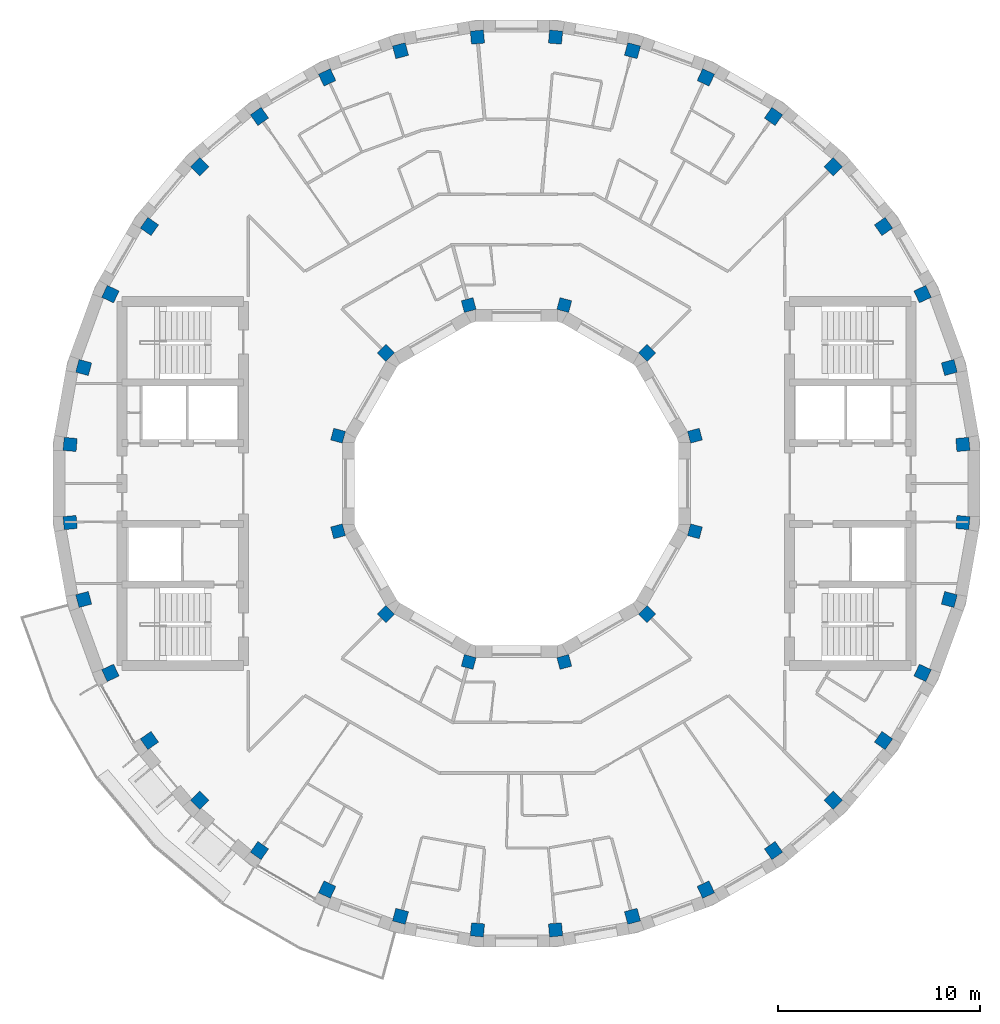
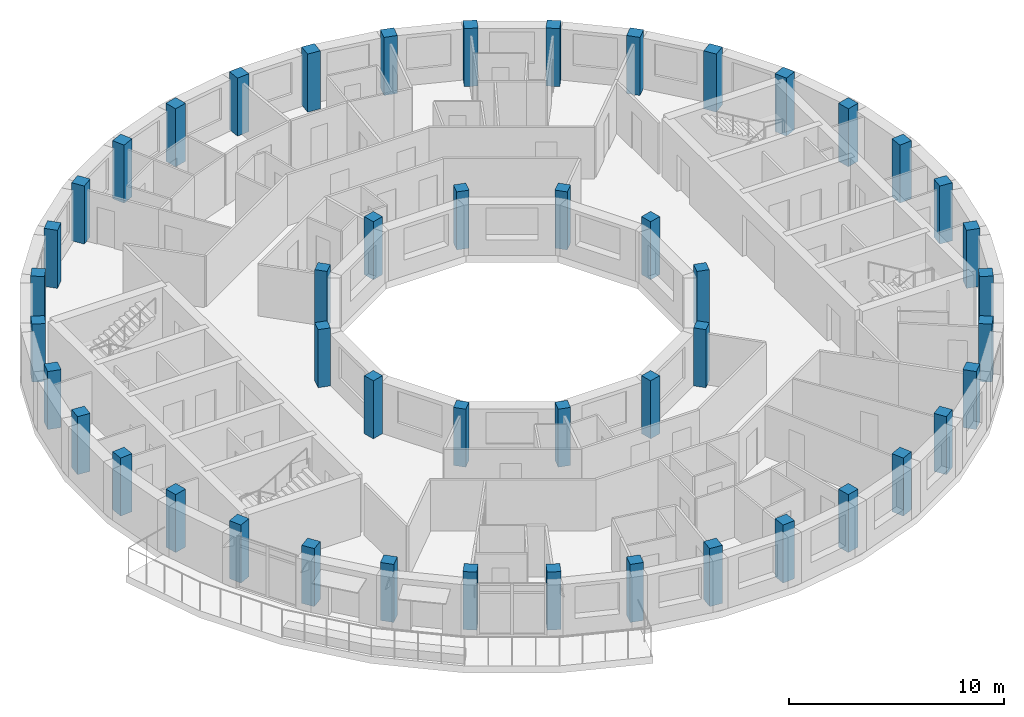
# One storey, part 1 of 12: 48 columns.
"""IFC4 building model written with IfcOpenShell, lengths in metres."""

from ifc_helpers import new_model, si_unit, direction, frame, origin, origin_2d, place, context, subcontext, project, spatial, rectangle, extrude, material, material_profile, profile_set, type_object, element, save


model = new_model("IFC4")

# Units and contexts
model_context = context("Model", 3, precision=1e-05, world=origin(), true_north=direction((0.0, 1.0)))
body_context = subcontext(model_context, "Body", "Model", "MODEL_VIEW")
ifc_project = project(units=[si_unit("LENGTHUNIT", "METRE"), si_unit("AREAUNIT", "SQUARE_METRE"), si_unit("VOLUMEUNIT", "CUBIC_METRE"), si_unit("PLANEANGLEUNIT", "RADIAN"), si_unit("MASSUNIT", "GRAM", prefix="KILO")], contexts=[model_context])

# Site, building, storey
site_placement = place(None, origin())
site = spatial("IfcSite", under=ifc_project, at=site_placement, CompositionType="ELEMENT")
building_placement = place(site_placement, origin())
building = spatial("IfcBuilding", under=site, at=building_placement, Name="Saqina Gate Tower", CompositionType="ELEMENT")
storey_placement = place(building_placement, frame((0.0, 0.0, 262.699951171875)))
storey = spatial("IfcBuildingStorey", under=building, at=storey_placement, Name="L75", CompositionType="ELEMENT", Elevation=262.699951171875)

# Columns
ifc_material_1 = material(Name="Concrete C60/75", Category="concrete")
ifc_material_profile_1 = material_profile(ifc_material_1, rectangle(XDim=0.60009765625, YDim=0.60009765625, at=origin_2d()), Name="RC 600x600")
ifc_profile_set_1 = profile_set([ifc_material_profile_1], Name="Concrete C60/75")
column_type_1 = type_object("IfcColumnType", Name="STR-COL-IN-D", PredefinedType="COLUMN", material=ifc_profile_set_1)
for number, where, z_axis, x_axis, name in (
    (1, (8.821044921875, 2.363525390625, 0.0), (0.0, 0.0, 1.0), (0.965925826289, 0.258819045103, 0.0), "L75-ICL01"),
    (2, (6.45751953125, 6.45751953125, 0.0), (0.0, 0.0, 1.0), (0.707106781187, 0.707106781187, 0.0), "L75-ICL02"),
    (3, (2.363525390625, 8.821044921875, 0.0), (0.0, 0.0, 1.0), (0.258819045103, 0.965925826289, 0.0), "L75-ICL03"),
    (4, (-2.363525390625, 8.821044921875, 0.0), (0.0, 0.0, 1.0), (-0.258819045103, 0.965925826289, 0.0), "L75-ICL04"),
    (5, (-6.45751953125, 6.45751953125, 0.0), (0.0, 0.0, 1.0), (-0.707106781187, 0.707106781187, 0.0), "L75-ICL05"),
    (6, (-8.821044921875, 2.363525390625, 0.0), (0.0, 0.0, 1.0), (-0.965925826289, 0.258819045103, 0.0), "L75-ICL06"),
    (7, (-8.821044921875, -2.363525390625, 0.0), (0.0, 0.0, 1.0), (-0.965925826289, -0.258819045103, 0.0), "L75-ICL07"),
    (8, (-6.45751953125, -6.45751953125, 0.0), (0.0, 0.0, 1.0), (-0.707106781187, -0.707106781187, 0.0), "L75-ICL08"),
    (9, (-2.363525390625, -8.821044921875, 0.0), (0.0, 0.0, 1.0), (-0.258819045103, -0.965925826289, 0.0), "L75-ICL09"),
    (10, (2.363525390625, -8.821044921875, 0.0), (0.0, 0.0, 1.0), (0.258819045103, -0.965925826289, 0.0), "L75-ICL10"),
    (11, (6.45751953125, -6.45751953125, 0.0), (0.0, 0.0, 1.0), (0.707106781187, -0.707106781187, 0.0), "L75-ICL11"),
    (12, (8.821044921875, -2.363525390625, 0.0), (0.0, 0.0, 1.0), (0.965925826289, -0.258819045103, 0.0), "L75-ICL12"),
):
    element("IfcColumn", number, at=place(storey_placement, frame(where, z_axis=z_axis, x_axis=x_axis)), inside=storey, type_object=column_type_1, Name=name, PredefinedType="COLUMN", context=body_context, shape_type="SweptSolid", body=[
        extrude(rectangle(XDim=0.60009765625, YDim=0.60009765625, at=origin_2d()), origin(), (0.0, 0.0, 1.0), 3.300048828125),
    ])
ifc_material_2 = material(Name="Concrete C60/75", Category="concrete")
ifc_material_profile_2 = material_profile(ifc_material_2, rectangle(XDim=0.64990234375, YDim=0.64990234375, at=origin_2d()), Name="RC 650x650")
ifc_profile_set_2 = profile_set([ifc_material_profile_2], Name="Concrete C60/75")
column_type_2 = type_object("IfcColumnType", Name="STR-COL-OUT-D", PredefinedType="COLUMN", material=ifc_profile_set_2)
for number, where, z_axis, x_axis, name in (
    (13, (22.065673828125, 1.930419921875, 0.0), (0.0, 0.0, 1.0), (0.996194698092, 0.087155742748, 0.0), "L75-COL01"),
    (14, (21.395263671875, 5.73291015625, 0.0), (0.0, 0.0, 1.0), (0.965925826289, 0.258819045103, 0.0), "L75-COL02"),
    (15, (20.07470703125, 9.361083984375, 0.0), (0.0, 0.0, 1.0), (0.906307787037, 0.422618261741, 0.0), "L75-COL03"),
    (16, (18.144287109375, 12.704833984375, 0.0), (0.0, 0.0, 1.0), (0.819152044289, 0.573576436351, 0.0), "L75-COL04"),
    (17, (15.662353515625, 15.662353515625, 0.0), (0.0, 0.0, 1.0), (0.707106781187, 0.707106781187, 0.0), "L75-COL05"),
    (18, (12.704833984375, 18.144287109375, 0.0), (0.0, 0.0, 1.0), (0.573576436351, 0.819152044289, 0.0), "L75-COL06"),
    (19, (9.361083984375, 20.07470703125, 0.0), (0.0, 0.0, 1.0), (0.422618261741, 0.906307787037, 0.0), "L75-COL07"),
    (20, (5.73291015625, 21.395263671875, 0.0), (0.0, 0.0, 1.0), (0.258819045103, 0.965925826289, 0.0), "L75-COL08"),
    (21, (1.930419921875, 22.065673828125, 0.0), (0.0, 0.0, 1.0), (0.087155742748, 0.996194698092, 0.0), "L75-COL09"),
    (22, (-1.930419921875, 22.065673828125, 0.0), (0.0, 0.0, 1.0), (-0.087155742748, 0.996194698092, 0.0), "L75-COL10"),
    (23, (-5.73291015625, 21.395263671875, 0.0), (0.0, 0.0, 1.0), (-0.258819045103, 0.965925826289, 0.0), "L75-COL11"),
    (24, (-9.361083984375, 20.07470703125, 0.0), (0.0, 0.0, 1.0), (-0.422618261741, 0.906307787037, 0.0), "L75-COL12"),
    (25, (-12.704833984375, 18.144287109375, 0.0), (0.0, 0.0, 1.0), (-0.573576436351, 0.819152044289, 0.0), "L75-COL13"),
    (26, (-15.662353515625, 15.662353515625, 0.0), (0.0, 0.0, 1.0), (-0.707106781187, 0.707106781187, 0.0), "L75-COL14"),
    (27, (-18.144287109375, 12.704833984375, 0.0), (0.0, 0.0, 1.0), (-0.819152044289, 0.573576436351, 0.0), "L75-COL15"),
    (28, (-20.07470703125, 9.361083984375, 0.0), (0.0, 0.0, 1.0), (-0.906307787037, 0.422618261741, 0.0), "L75-COL16"),
    (29, (-21.395263671875, 5.73291015625, 0.0), (0.0, 0.0, 1.0), (-0.965925826289, 0.258819045103, 0.0), "L75-COL17"),
    (30, (-22.065673828125, 1.930419921875, 0.0), (0.0, 0.0, 1.0), (-0.996194698092, 0.087155742748, 0.0), "L75-COL18"),
    (31, (-22.065673828125, -1.930419921875, 0.0), (0.0, 0.0, 1.0), (-0.996194698092, -0.087155742748, 0.0), "L75-COL19"),
    (32, (-21.395263671875, -5.73291015625, 0.0), (0.0, 0.0, 1.0), (-0.965925826289, -0.258819045103, 0.0), "L75-COL20"),
    (33, (-20.07470703125, -9.361083984375, 0.0), (0.0, 0.0, 1.0), (-0.906307787037, -0.422618261741, 0.0), "L75-COL21"),
    (34, (-18.144287109375, -12.704833984375, 0.0), (0.0, 0.0, 1.0), (-0.819152044289, -0.573576436351, 0.0), "L75-COL22"),
    (35, (-15.662353515625, -15.662353515625, 0.0), (0.0, 0.0, 1.0), (-0.707106781187, -0.707106781187, 0.0), "L75-COL23"),
    (36, (-12.704833984375, -18.144287109375, 0.0), (0.0, 0.0, 1.0), (-0.573576436351, -0.819152044289, 0.0), "L75-COL24"),
    (37, (-9.361083984375, -20.07470703125, 0.0), (0.0, 0.0, 1.0), (-0.422618261741, -0.906307787037, 0.0), "L75-COL25"),
    (38, (-5.73291015625, -21.395263671875, 0.0), (0.0, 0.0, 1.0), (-0.258819045103, -0.965925826289, 0.0), "L75-COL26"),
    (39, (-1.930419921875, -22.065673828125, 0.0), (0.0, 0.0, 1.0), (-0.087155742748, -0.996194698092, 0.0), "L75-COL27"),
    (40, (1.930419921875, -22.065673828125, 0.0), (0.0, 0.0, 1.0), (0.087155742748, -0.996194698092, 0.0), "L75-COL28"),
    (41, (5.73291015625, -21.395263671875, 0.0), (0.0, 0.0, 1.0), (0.258819045103, -0.965925826289, 0.0), "L75-COL29"),
    (42, (9.361083984375, -20.07470703125, 0.0), (0.0, 0.0, 1.0), (0.422618261741, -0.906307787037, 0.0), "L75-COL30"),
    (43, (12.704833984375, -18.144287109375, 0.0), (0.0, 0.0, 1.0), (0.573576436351, -0.819152044289, 0.0), "L75-COL31"),
    (44, (15.662353515625, -15.662353515625, 0.0), (0.0, 0.0, 1.0), (0.707106781187, -0.707106781187, 0.0), "L75-COL32"),
    (45, (18.144287109375, -12.704833984375, 0.0), (0.0, 0.0, 1.0), (0.819152044289, -0.573576436351, 0.0), "L75-COL33"),
    (46, (20.07470703125, -9.361083984375, 0.0), (0.0, 0.0, 1.0), (0.906307787037, -0.422618261741, 0.0), "L75-COL34"),
    (47, (21.395263671875, -5.73291015625, 0.0), (0.0, 0.0, 1.0), (0.965925826289, -0.258819045103, 0.0), "L75-COL35"),
    (48, (22.065673828125, -1.930419921875, 0.0), (0.0, 0.0, 1.0), (0.996194698092, -0.087155742748, 0.0), "L75-COL36"),
):
    element("IfcColumn", number, at=place(storey_placement, frame(where, z_axis=z_axis, x_axis=x_axis)), inside=storey, type_object=column_type_2, Name=name, PredefinedType="COLUMN", context=body_context, shape_type="SweptSolid", body=[
        extrude(rectangle(XDim=0.64990234375, YDim=0.64990234375, at=origin_2d()), origin(), (0.0, 0.0, 1.0), 3.300048828125),
    ])

save(model, "model.ifc")
